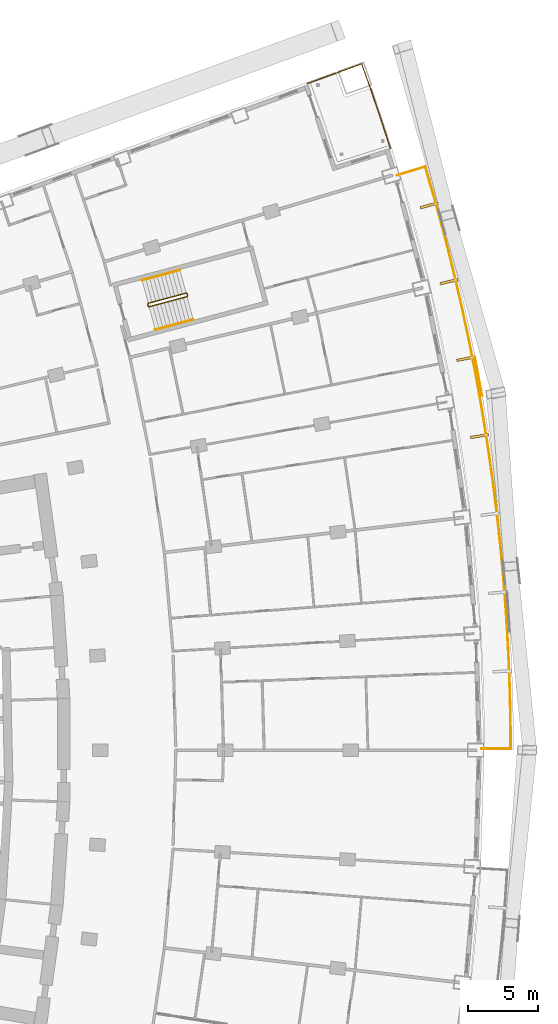
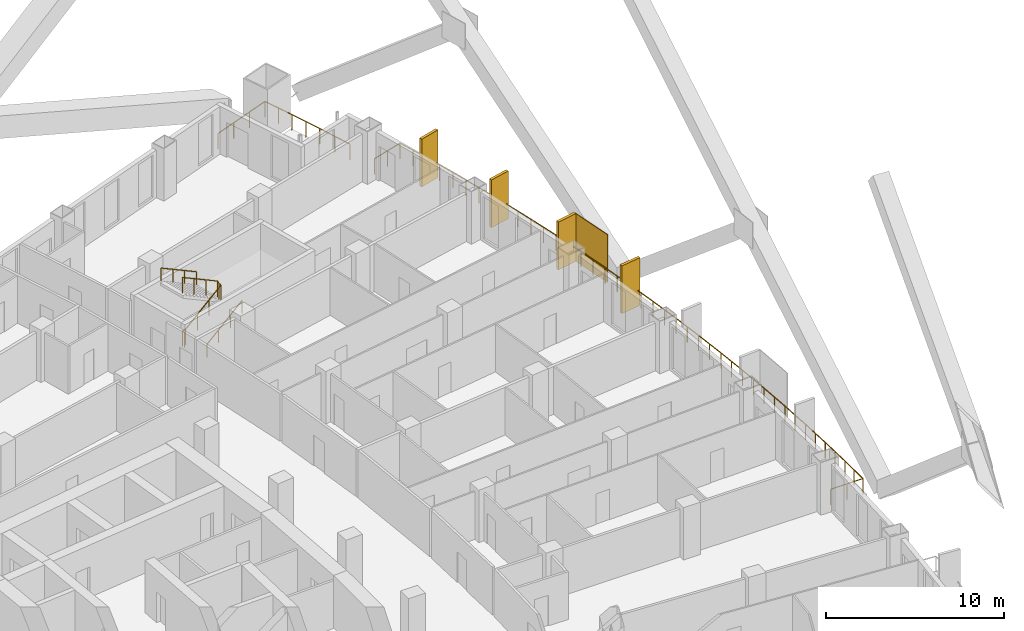
# One storey, part 23 of 23: 5 railings, 5 shading devices.
"""IFC4 building model written with IfcOpenShell, lengths in metres."""

from ifc_helpers import new_model, si_unit, direction, frame, origin, origin_2d, place, context, subcontext, project, spatial, rectangle, extrude, material, layer, layer_set, type_object, element, save


model = new_model("IFC4")

# Units and contexts
model_context = context("Model", 3, precision=1e-05, world=origin(), true_north=direction((0.0, 1.0)))
body_context = subcontext(model_context, "Body", "Model", "MODEL_VIEW")
ifc_project = project(units=[si_unit("LENGTHUNIT", "METRE"), si_unit("AREAUNIT", "SQUARE_METRE"), si_unit("VOLUMEUNIT", "CUBIC_METRE"), si_unit("PLANEANGLEUNIT", "RADIAN"), si_unit("MASSUNIT", "GRAM", prefix="KILO")], contexts=[model_context])

# Site, building, storey
site_placement = place(None, origin())
site = spatial("IfcSite", under=ifc_project, at=site_placement, CompositionType="ELEMENT")
building_placement = place(site_placement, origin())
building = spatial("IfcBuilding", under=site, at=building_placement, Name="Alderwake Tower", CompositionType="ELEMENT")
storey_placement = place(building_placement, frame((0.0, 0.0, 53.60009765625)))
storey = spatial("IfcBuildingStorey", under=building, at=storey_placement, Name="L12", CompositionType="ELEMENT", Elevation=53.60009765625)

# Railings
ifc_material_1 = material(Name="Stainless steel 316 rail and posts", Category="steel")
railing_type_1 = type_object("IfcRailingType", Name="Balcony guard 1100", PredefinedType="GUARDRAIL", material=ifc_material_1)
railing_1_placement = place(storey_placement, frame((63.0, 61.0986328125, 0.0)))
element("IfcRailing", 1, at=railing_1_placement, inside=storey, type_object=railing_type_1, Name="Guard BF07", PredefinedType="GUARDRAIL", context=body_context, shape_type="SweptSolid", body=[
    extrude(rectangle(XDim=0.048095703125, YDim=0.048095703125, at=origin_2d()), frame((0.0, 0.0, 1.076171875), z_axis=(0.999999756738, 0.000697512037, 0.0), x_axis=(-0.000697512037, 0.999999756738, 0.0)), (0.0, 0.0, 1.0), 2.10009765625),
    extrude(rectangle(XDim=0.048095703125, YDim=0.048095703125, at=origin_2d()), frame((2.10009765625, 0.00146484375, 1.076171875), z_axis=(-0.007629667712, 0.999970893662, 0.0), x_axis=(-0.999970893662, -0.007629667712, 0.0)), (0.0, 0.0, 1.0), 2.015869140625),
    extrude(rectangle(XDim=0.048095703125, YDim=0.048095703125, at=origin_2d()), frame((2.084716796875, 2.017333984375, 1.076171875), z_axis=(-0.021922024221, 0.999759683551, 0.0), x_axis=(-0.999759683551, -0.021922024221, 0.0)), (0.0, 0.0, 1.0), 2.115966796875),
    extrude(rectangle(XDim=0.048095703125, YDim=0.048095703125, at=origin_2d()), frame((2.038330078125, 4.1328125, 1.076171875), z_axis=(-0.036456930403, 0.99933522515, 0.0), x_axis=(-0.99933522515, -0.036456930403, 0.0)), (0.0, 0.0, 1.0), 2.1162109375),
    extrude(rectangle(XDim=0.048095703125, YDim=0.048095703125, at=origin_2d()), frame((1.961181640625, 6.24755859375, 1.076171875), z_axis=(-0.050996405484, 0.998698836801, 0.0), x_axis=(-0.998698836801, -0.050996405484, 0.0)), (0.0, 0.0, 1.0), 2.115966796875),
    extrude(rectangle(XDim=0.048095703125, YDim=0.048095703125, at=origin_2d()), frame((1.853271484375, 8.36083984375, 1.076171875), z_axis=(-0.065653604081, 0.997842474678, 0.0), x_axis=(-0.997842474678, -0.065653604081, 0.0)), (0.0, 0.0, 1.0), 2.115966796875),
    extrude(rectangle(XDim=0.048095703125, YDim=0.048095703125, at=origin_2d()), frame((1.71435546875, 10.47216796875, 1.076171875), z_axis=(-0.080066197531, 0.996789548507, 0.0), x_axis=(-0.996789548507, -0.080066197531, 0.0)), (0.0, 0.0, 1.0), 2.1162109375),
    extrude(rectangle(XDim=0.048095703125, YDim=0.048095703125, at=origin_2d()), frame((1.544921875, 12.58154296875, 1.076171875), z_axis=(-0.094727418448, 0.995503247707, 0.0), x_axis=(-0.995503247707, -0.094727418448, 0.0)), (0.0, 0.0, 1.0), 2.115966796875),
    extrude(rectangle(XDim=0.048095703125, YDim=0.048095703125, at=origin_2d()), frame((1.344482421875, 14.68798828125, 1.076171875), z_axis=(-0.109152371234, 0.994025029792, 0.0), x_axis=(-0.994025029792, -0.109152371234, 0.0)), (0.0, 0.0, 1.0), 2.115966796875),
    extrude(rectangle(XDim=0.048095703125, YDim=0.048095703125, at=origin_2d()), frame((1.113525390625, 16.791259765625, 1.076171875), z_axis=(-0.123566122663, 0.992336340829, 0.0), x_axis=(-0.992336340829, -0.123566122663, 0.0)), (0.0, 0.0, 1.0), 2.115966796875),
    extrude(rectangle(XDim=0.048095703125, YDim=0.048095703125, at=origin_2d()), frame((0.85205078125, 18.89111328125, 1.076171875), z_axis=(-0.13810917546, 0.990417010988, 0.0), x_axis=(-0.990417010988, -0.13810917546, 0.0)), (0.0, 0.0, 1.0), 2.115966796875),
    extrude(rectangle(XDim=0.048095703125, YDim=0.048095703125, at=origin_2d()), frame((0.559814453125, 20.98681640625, 1.076171875), z_axis=(-0.152525334997, 0.988299560955, 0.0), x_axis=(-0.988299560955, -0.152525334997, 0.0)), (0.0, 0.0, 1.0), 2.115966796875),
    extrude(rectangle(XDim=0.048095703125, YDim=0.048095703125, at=origin_2d()), frame((0.237060546875, 23.078125, 1.076171875), z_axis=(-0.166942854132, 0.985966573193, 0.0), x_axis=(-0.985966573193, -0.166942854132, 0.0)), (0.0, 0.0, 1.0), 2.1162109375),
    extrude(rectangle(XDim=0.048095703125, YDim=0.048095703125, at=origin_2d()), frame((-0.1162109375, 25.16455078125, 1.076171875), z_axis=(-0.181271090416, 0.983433165893, 0.0), x_axis=(-0.983433165893, -0.181271090416, 0.0)), (0.0, 0.0, 1.0), 2.115966796875),
    extrude(rectangle(XDim=0.048095703125, YDim=0.048095703125, at=origin_2d()), frame((-0.499755859375, 27.245361328125, 1.076171875), z_axis=(-0.195672373282, 0.980669323643, 0.0), x_axis=(-0.980669323643, -0.195672373282, 0.0)), (0.0, 0.0, 1.0), 2.1162109375),
    extrude(rectangle(XDim=0.048095703125, YDim=0.048095703125, at=origin_2d()), frame((-0.913818359375, 29.320556640625, 1.076171875), z_axis=(-0.209875777658, 0.977728059305, 0.0), x_axis=(-0.977728059305, -0.209875777658, 0.0)), (0.0, 0.0, 1.0), 2.115966796875),
    extrude(rectangle(XDim=0.048095703125, YDim=0.048095703125, at=origin_2d()), frame((-1.35791015625, 31.389404296875, 1.076171875), z_axis=(-0.224058933292, 0.974575597074, 0.0), x_axis=(-0.974575597074, -0.224058933292, 0.0)), (0.0, 0.0, 1.0), 2.115966796875),
    extrude(rectangle(XDim=0.048095703125, YDim=0.048095703125, at=origin_2d()), frame((-1.83203125, 33.45166015625, 1.076171875), z_axis=(-0.238270812315, 0.971198754117, 0.0), x_axis=(-0.971198754117, -0.238270812315, 0.0)), (0.0, 0.0, 1.0), 2.115966796875),
    extrude(rectangle(XDim=0.048095703125, YDim=0.048095703125, at=origin_2d()), frame((-2.336181640625, 35.506591796875, 1.076171875), z_axis=(-0.25253930462, 0.967586636752, 0.0), x_axis=(-0.967586636752, -0.25253930462, 0.0)), (0.0, 0.0, 1.0), 2.1162109375),
    extrude(rectangle(XDim=0.048095703125, YDim=0.048095703125, at=origin_2d()), frame((-2.87060546875, 37.55419921875, 1.076171875), z_axis=(-0.266513084078, 0.9638313006, 0.0), x_axis=(-0.9638313006, -0.266513084078, 0.0)), (0.0, 0.0, 1.0), 2.115966796875),
    extrude(rectangle(XDim=0.048095703125, YDim=0.048095703125, at=origin_2d()), frame((-3.4345703125, 39.59375, 1.076171875), z_axis=(-0.28021854868, 0.95993622964, 0.0), x_axis=(-0.95993622964, -0.28021854868, 0.0)), (0.0, 0.0, 1.0), 2.01611328125),
    extrude(rectangle(XDim=0.048095703125, YDim=0.048095703125, at=origin_2d()), frame((-3.99951171875, 41.529052734375, 1.076171875), z_axis=(-0.957954179098, -0.286921227429, 0.0), x_axis=(0.286921227429, -0.957954179098, 0.0)), (0.0, 0.0, 1.0), 2.10009765625),
    extrude(rectangle(XDim=0.0419921875, YDim=0.0419921875, at=origin_2d()), frame((0.0, 0.0, 0.0), z_axis=(0.0, 0.0, 1.0), x_axis=(0.999999756738, 0.000697512037, 0.0)), (0.0, 0.0, 1.0), 1.052001953125),
    extrude(rectangle(XDim=0.0419921875, YDim=0.0419921875, at=origin_2d()), frame((1.050048828125, 0.000732421875, 0.0), z_axis=(0.0, 0.0, 1.0), x_axis=(0.999999756738, 0.000697512037, 0.0)), (0.0, 0.0, 1.0), 1.052001953125),
    extrude(rectangle(XDim=0.0419921875, YDim=0.0419921875, at=origin_2d()), frame((2.10009765625, 0.00146484375, 0.0), z_axis=(0.0, 0.0, 1.0), x_axis=(-0.007629667712, 0.999970893662, 0.0)), (0.0, 0.0, 1.0), 1.052001953125),
    extrude(rectangle(XDim=0.0419921875, YDim=0.0419921875, at=origin_2d()), frame((2.09228515625, 1.00927734375, 0.0), z_axis=(0.0, 0.0, 1.0), x_axis=(-0.007629667712, 0.999970893662, 0.0)), (0.0, 0.0, 1.0), 1.052001953125),
    extrude(rectangle(XDim=0.0419921875, YDim=0.0419921875, at=origin_2d()), frame((2.084716796875, 2.017333984375, 0.0), z_axis=(0.0, 0.0, 1.0), x_axis=(-0.021922024221, 0.999759683551, 0.0)), (0.0, 0.0, 1.0), 1.052001953125),
    extrude(rectangle(XDim=0.0419921875, YDim=0.0419921875, at=origin_2d()), frame((2.0615234375, 3.0751953125, 0.0), z_axis=(0.0, 0.0, 1.0), x_axis=(-0.021922024221, 0.999759683551, 0.0)), (0.0, 0.0, 1.0), 1.052001953125),
    extrude(rectangle(XDim=0.0419921875, YDim=0.0419921875, at=origin_2d()), frame((2.038330078125, 4.1328125, 0.0), z_axis=(0.0, 0.0, 1.0), x_axis=(-0.036456930403, 0.99933522515, 0.0)), (0.0, 0.0, 1.0), 1.052001953125),
    extrude(rectangle(XDim=0.0419921875, YDim=0.0419921875, at=origin_2d()), frame((1.999755859375, 5.190185546875, 0.0), z_axis=(0.0, 0.0, 1.0), x_axis=(-0.036456930403, 0.99933522515, 0.0)), (0.0, 0.0, 1.0), 1.052001953125),
    extrude(rectangle(XDim=0.0419921875, YDim=0.0419921875, at=origin_2d()), frame((1.961181640625, 6.24755859375, 0.0), z_axis=(0.0, 0.0, 1.0), x_axis=(-0.050996405484, 0.998698836801, 0.0)), (0.0, 0.0, 1.0), 1.052001953125),
    extrude(rectangle(XDim=0.0419921875, YDim=0.0419921875, at=origin_2d()), frame((1.9072265625, 7.30419921875, 0.0), z_axis=(0.0, 0.0, 1.0), x_axis=(-0.050996405484, 0.998698836801, 0.0)), (0.0, 0.0, 1.0), 1.052001953125),
    extrude(rectangle(XDim=0.0419921875, YDim=0.0419921875, at=origin_2d()), frame((1.853271484375, 8.36083984375, 0.0), z_axis=(0.0, 0.0, 1.0), x_axis=(-0.065653604081, 0.997842474678, 0.0)), (0.0, 0.0, 1.0), 1.052001953125),
    extrude(rectangle(XDim=0.0419921875, YDim=0.0419921875, at=origin_2d()), frame((1.78369140625, 9.41650390625, 0.0), z_axis=(0.0, 0.0, 1.0), x_axis=(-0.065653604081, 0.997842474678, 0.0)), (0.0, 0.0, 1.0), 1.052001953125),
    extrude(rectangle(XDim=0.0419921875, YDim=0.0419921875, at=origin_2d()), frame((1.71435546875, 10.47216796875, 0.0), z_axis=(0.0, 0.0, 1.0), x_axis=(-0.080066197531, 0.996789548507, 0.0)), (0.0, 0.0, 1.0), 1.052001953125),
    extrude(rectangle(XDim=0.0419921875, YDim=0.0419921875, at=origin_2d()), frame((1.629638671875, 11.52685546875, 0.0), z_axis=(0.0, 0.0, 1.0), x_axis=(-0.080066197531, 0.996789548507, 0.0)), (0.0, 0.0, 1.0), 1.052001953125),
    extrude(rectangle(XDim=0.0419921875, YDim=0.0419921875, at=origin_2d()), frame((1.544921875, 12.58154296875, 0.0), z_axis=(0.0, 0.0, 1.0), x_axis=(-0.094727418448, 0.995503247707, 0.0)), (0.0, 0.0, 1.0), 1.052001953125),
    extrude(rectangle(XDim=0.0419921875, YDim=0.0419921875, at=origin_2d()), frame((1.44482421875, 13.634765625, 0.0), z_axis=(0.0, 0.0, 1.0), x_axis=(-0.094727418448, 0.995503247707, 0.0)), (0.0, 0.0, 1.0), 1.052001953125),
    extrude(rectangle(XDim=0.0419921875, YDim=0.0419921875, at=origin_2d()), frame((1.344482421875, 14.68798828125, 0.0), z_axis=(0.0, 0.0, 1.0), x_axis=(-0.109152371234, 0.994025029792, 0.0)), (0.0, 0.0, 1.0), 1.052001953125),
    extrude(rectangle(XDim=0.0419921875, YDim=0.0419921875, at=origin_2d()), frame((1.22900390625, 15.73974609375, 0.0), z_axis=(0.0, 0.0, 1.0), x_axis=(-0.109152371234, 0.994025029792, 0.0)), (0.0, 0.0, 1.0), 1.052001953125),
    extrude(rectangle(XDim=0.0419921875, YDim=0.0419921875, at=origin_2d()), frame((1.113525390625, 16.791259765625, 0.0), z_axis=(0.0, 0.0, 1.0), x_axis=(-0.123566122663, 0.992336340829, 0.0)), (0.0, 0.0, 1.0), 1.052001953125),
    extrude(rectangle(XDim=0.0419921875, YDim=0.0419921875, at=origin_2d()), frame((0.98291015625, 17.84130859375, 0.0), z_axis=(0.0, 0.0, 1.0), x_axis=(-0.123566122663, 0.992336340829, 0.0)), (0.0, 0.0, 1.0), 1.052001953125),
    extrude(rectangle(XDim=0.0419921875, YDim=0.0419921875, at=origin_2d()), frame((0.85205078125, 18.89111328125, 0.0), z_axis=(0.0, 0.0, 1.0), x_axis=(-0.13810917546, 0.990417010988, 0.0)), (0.0, 0.0, 1.0), 1.052001953125),
    extrude(rectangle(XDim=0.0419921875, YDim=0.0419921875, at=origin_2d()), frame((0.7060546875, 19.93896484375, 0.0), z_axis=(0.0, 0.0, 1.0), x_axis=(-0.13810917546, 0.990417010988, 0.0)), (0.0, 0.0, 1.0), 1.052001953125),
    extrude(rectangle(XDim=0.0419921875, YDim=0.0419921875, at=origin_2d()), frame((0.559814453125, 20.98681640625, 0.0), z_axis=(0.0, 0.0, 1.0), x_axis=(-0.152525334997, 0.988299560955, 0.0)), (0.0, 0.0, 1.0), 1.052001953125),
    extrude(rectangle(XDim=0.0419921875, YDim=0.0419921875, at=origin_2d()), frame((0.3984375, 22.032470703125, 0.0), z_axis=(0.0, 0.0, 1.0), x_axis=(-0.152525334997, 0.988299560955, 0.0)), (0.0, 0.0, 1.0), 1.052001953125),
    extrude(rectangle(XDim=0.0419921875, YDim=0.0419921875, at=origin_2d()), frame((0.237060546875, 23.078125, 0.0), z_axis=(0.0, 0.0, 1.0), x_axis=(-0.166942854132, 0.985966573193, 0.0)), (0.0, 0.0, 1.0), 1.052001953125),
    extrude(rectangle(XDim=0.0419921875, YDim=0.0419921875, at=origin_2d()), frame((0.060546875, 24.121337890625, 0.0), z_axis=(0.0, 0.0, 1.0), x_axis=(-0.166942854132, 0.985966573193, 0.0)), (0.0, 0.0, 1.0), 1.052001953125),
    extrude(rectangle(XDim=0.0419921875, YDim=0.0419921875, at=origin_2d()), frame((-0.1162109375, 25.16455078125, 0.0), z_axis=(0.0, 0.0, 1.0), x_axis=(-0.181271090416, 0.983433165893, 0.0)), (0.0, 0.0, 1.0), 1.052001953125),
    extrude(rectangle(XDim=0.0419921875, YDim=0.0419921875, at=origin_2d()), frame((-0.30810546875, 26.205078125, 0.0), z_axis=(0.0, 0.0, 1.0), x_axis=(-0.181271090416, 0.983433165893, 0.0)), (0.0, 0.0, 1.0), 1.052001953125),
    extrude(rectangle(XDim=0.0419921875, YDim=0.0419921875, at=origin_2d()), frame((-0.499755859375, 27.245361328125, 0.0), z_axis=(0.0, 0.0, 1.0), x_axis=(-0.195672373282, 0.980669323643, 0.0)), (0.0, 0.0, 1.0), 1.052001953125),
    extrude(rectangle(XDim=0.0419921875, YDim=0.0419921875, at=origin_2d()), frame((-0.706787109375, 28.282958984375, 0.0), z_axis=(0.0, 0.0, 1.0), x_axis=(-0.195672373282, 0.980669323643, 0.0)), (0.0, 0.0, 1.0), 1.052001953125),
    extrude(rectangle(XDim=0.0419921875, YDim=0.0419921875, at=origin_2d()), frame((-0.913818359375, 29.320556640625, 0.0), z_axis=(0.0, 0.0, 1.0), x_axis=(-0.209875777658, 0.977728059305, 0.0)), (0.0, 0.0, 1.0), 1.052001953125),
    extrude(rectangle(XDim=0.0419921875, YDim=0.0419921875, at=origin_2d()), frame((-1.1357421875, 30.35498046875, 0.0), z_axis=(0.0, 0.0, 1.0), x_axis=(-0.209875777658, 0.977728059305, 0.0)), (0.0, 0.0, 1.0), 1.052001953125),
    extrude(rectangle(XDim=0.0419921875, YDim=0.0419921875, at=origin_2d()), frame((-1.35791015625, 31.389404296875, 0.0), z_axis=(0.0, 0.0, 1.0), x_axis=(-0.224058933292, 0.974575597074, 0.0)), (0.0, 0.0, 1.0), 1.052001953125),
    extrude(rectangle(XDim=0.0419921875, YDim=0.0419921875, at=origin_2d()), frame((-1.594970703125, 32.42041015625, 0.0), z_axis=(0.0, 0.0, 1.0), x_axis=(-0.224058933292, 0.974575597074, 0.0)), (0.0, 0.0, 1.0), 1.052001953125),
    extrude(rectangle(XDim=0.0419921875, YDim=0.0419921875, at=origin_2d()), frame((-1.83203125, 33.45166015625, 0.0), z_axis=(0.0, 0.0, 1.0), x_axis=(-0.238270812315, 0.971198754117, 0.0)), (0.0, 0.0, 1.0), 1.052001953125),
    extrude(rectangle(XDim=0.0419921875, YDim=0.0419921875, at=origin_2d()), frame((-2.083984375, 34.47900390625, 0.0), z_axis=(0.0, 0.0, 1.0), x_axis=(-0.238270812315, 0.971198754117, 0.0)), (0.0, 0.0, 1.0), 1.052001953125),
    extrude(rectangle(XDim=0.0419921875, YDim=0.0419921875, at=origin_2d()), frame((-2.336181640625, 35.506591796875, 0.0), z_axis=(0.0, 0.0, 1.0), x_axis=(-0.25253930462, 0.967586636752, 0.0)), (0.0, 0.0, 1.0), 1.052001953125),
    extrude(rectangle(XDim=0.0419921875, YDim=0.0419921875, at=origin_2d()), frame((-2.603515625, 36.5302734375, 0.0), z_axis=(0.0, 0.0, 1.0), x_axis=(-0.25253930462, 0.967586636752, 0.0)), (0.0, 0.0, 1.0), 1.052001953125),
    extrude(rectangle(XDim=0.0419921875, YDim=0.0419921875, at=origin_2d()), frame((-2.87060546875, 37.55419921875, 0.0), z_axis=(0.0, 0.0, 1.0), x_axis=(-0.266513084078, 0.9638313006, 0.0)), (0.0, 0.0, 1.0), 1.052001953125),
    extrude(rectangle(XDim=0.0419921875, YDim=0.0419921875, at=origin_2d()), frame((-3.152587890625, 38.573974609375, 0.0), z_axis=(0.0, 0.0, 1.0), x_axis=(-0.266513084078, 0.9638313006, 0.0)), (0.0, 0.0, 1.0), 1.052001953125),
    extrude(rectangle(XDim=0.0419921875, YDim=0.0419921875, at=origin_2d()), frame((-3.4345703125, 39.59375, 0.0), z_axis=(0.0, 0.0, 1.0), x_axis=(-0.28021854868, 0.95993622964, 0.0)), (0.0, 0.0, 1.0), 1.052001953125),
    extrude(rectangle(XDim=0.0419921875, YDim=0.0419921875, at=origin_2d()), frame((-3.717041015625, 40.5615234375, 0.0), z_axis=(0.0, 0.0, 1.0), x_axis=(-0.28021854868, 0.95993622964, 0.0)), (0.0, 0.0, 1.0), 1.052001953125),
    extrude(rectangle(XDim=0.0419921875, YDim=0.0419921875, at=origin_2d()), frame((-3.99951171875, 41.529052734375, 0.0), z_axis=(0.0, 0.0, 1.0), x_axis=(-0.957954179098, -0.286921227429, 0.0)), (0.0, 0.0, 1.0), 1.052001953125),
    extrude(rectangle(XDim=0.0419921875, YDim=0.0419921875, at=origin_2d()), frame((-5.00537109375, 41.227783203125, 0.0), z_axis=(0.0, 0.0, 1.0), x_axis=(-0.957954179098, -0.286921227429, 0.0)), (0.0, 0.0, 1.0), 1.052001953125),
    extrude(rectangle(XDim=0.0419921875, YDim=0.0419921875, at=origin_2d()), frame((-6.01123046875, 40.926513671875, 0.0), z_axis=(0.0, 0.0, 1.0), x_axis=(-0.957954179098, -0.286921227429, 0.0)), (0.0, 0.0, 1.0), 1.052001953125),
])
railing_2_placement = place(storey_placement, frame((56.501708984375, 103.951904296875, 0.0)))
element("IfcRailing", 2, at=railing_2_placement, inside=storey, type_object=railing_type_1, Name="Guard terrace FN", PredefinedType="GUARDRAIL", context=body_context, shape_type="SweptSolid", body=[
    extrude(rectangle(XDim=0.048095703125, YDim=0.048095703125, at=origin_2d()), frame((0.0, 0.0, 1.076171875), z_axis=(-0.307695208636, 0.95148497549, 0.0), x_axis=(-0.95148497549, -0.307695208636, 0.0)), (0.0, 0.0, 1.0), 2.28662109375),
    extrude(rectangle(XDim=0.048095703125, YDim=0.048095703125, at=origin_2d()), frame((-0.70361328125, 2.17578125, 1.076171875), z_axis=(-0.322292794667, 0.946640034282, 0.0), x_axis=(-0.946640034282, -0.322292794667, 0.0)), (0.0, 0.0, 1.0), 2.0869140625),
    extrude(rectangle(XDim=0.048095703125, YDim=0.048095703125, at=origin_2d()), frame((-1.376220703125, 4.1513671875, 1.076171875), z_axis=(-0.335736890056, 0.941955806105, 0.0), x_axis=(-0.941955806105, -0.335736890056, 0.0)), (0.0, 0.0, 1.0), 1.986572265625),
    extrude(rectangle(XDim=0.048095703125, YDim=0.048095703125, at=origin_2d()), frame((-2.043212890625, 6.022705078125, 1.076171875), z_axis=(-0.939617696184, -0.342225926863, 0.0), x_axis=(0.342225926863, -0.939617696184, 0.0)), (0.0, 0.0, 1.0), 4.099853515625),
    extrude(rectangle(XDim=0.0419921875, YDim=0.0419921875, at=origin_2d()), frame((0.0, 0.0, 0.0), z_axis=(0.0, 0.0, 1.0), x_axis=(-0.307695208636, 0.95148497549, 0.0)), (0.0, 0.0, 1.0), 1.052001953125),
    extrude(rectangle(XDim=0.0419921875, YDim=0.0419921875, at=origin_2d()), frame((-0.351806640625, 1.087890625, 0.0), z_axis=(0.0, 0.0, 1.0), x_axis=(-0.307695208636, 0.95148497549, 0.0)), (0.0, 0.0, 1.0), 1.052001953125),
    extrude(rectangle(XDim=0.0419921875, YDim=0.0419921875, at=origin_2d()), frame((-0.70361328125, 2.17578125, 0.0), z_axis=(0.0, 0.0, 1.0), x_axis=(-0.322292794667, 0.946640034282, 0.0)), (0.0, 0.0, 1.0), 1.052001953125),
    extrude(rectangle(XDim=0.0419921875, YDim=0.0419921875, at=origin_2d()), frame((-1.0400390625, 3.16357421875, 0.0), z_axis=(0.0, 0.0, 1.0), x_axis=(-0.322292794667, 0.946640034282, 0.0)), (0.0, 0.0, 1.0), 1.052001953125),
    extrude(rectangle(XDim=0.0419921875, YDim=0.0419921875, at=origin_2d()), frame((-1.376220703125, 4.1513671875, 0.0), z_axis=(0.0, 0.0, 1.0), x_axis=(-0.335736890056, 0.941955806105, 0.0)), (0.0, 0.0, 1.0), 1.052001953125),
    extrude(rectangle(XDim=0.0419921875, YDim=0.0419921875, at=origin_2d()), frame((-1.709716796875, 5.0869140625, 0.0), z_axis=(0.0, 0.0, 1.0), x_axis=(-0.335736890056, 0.941955806105, 0.0)), (0.0, 0.0, 1.0), 1.052001953125),
    extrude(rectangle(XDim=0.0419921875, YDim=0.0419921875, at=origin_2d()), frame((-2.043212890625, 6.022705078125, 0.0), z_axis=(0.0, 0.0, 1.0), x_axis=(-0.939617696184, -0.342225926863, 0.0)), (0.0, 0.0, 1.0), 1.052001953125),
    extrude(rectangle(XDim=0.0419921875, YDim=0.0419921875, at=origin_2d()), frame((-3.327392578125, 5.554931640625, 0.0), z_axis=(0.0, 0.0, 1.0), x_axis=(-0.939617696184, -0.342225926863, 0.0)), (0.0, 0.0, 1.0), 1.052001953125),
    extrude(rectangle(XDim=0.0419921875, YDim=0.0419921875, at=origin_2d()), frame((-4.611328125, 5.08740234375, 0.0), z_axis=(0.0, 0.0, 1.0), x_axis=(-0.939617696184, -0.342225926863, 0.0)), (0.0, 0.0, 1.0), 1.052001953125),
    extrude(rectangle(XDim=0.0419921875, YDim=0.0419921875, at=origin_2d()), frame((-5.8955078125, 4.61962890625, 0.0), z_axis=(0.0, 0.0, 1.0), x_axis=(-0.939617696184, -0.342225926863, 0.0)), (0.0, 0.0, 1.0), 1.052001953125),
])

# Shading devices
ifc_material_2 = material(Name="Bronze anodised aluminium", Category="aluminium")
ifc_layer_1 = layer(ifc_material_2, 0.179931640625)
ifc_layer_set_1 = layer_set([ifc_layer_1], Name="Facade fin 1300")
shading_device_type_1 = type_object("IfcShadingDeviceType", Name="Facade fin 1300", PredefinedType="USERDEFINED", material=ifc_layer_set_1)
for number, where, z_axis, x_axis, name in (
    (3, (62.85302734375, 83.4091796875, 0.0), (0.0, 0.0, 1.0), (0.987918787879, 0.154972476771, 0.0), "Fin"),
    (4, (61.876220703125, 88.93359375, 0.0), (0.0, 0.0, 1.0), (0.981163751315, 0.193177879441, 0.0), "Fin"),
    (5, (60.6826171875, 94.429931640625, 0.0), (0.0, 0.0, 1.0), (0.972908790564, 0.231189284448, 0.0), "Fin"),
    (6, (59.276123046875, 99.8759765625, 0.0), (0.0, 0.0, 1.0), (0.96318180783, 0.268850897459, 0.0), "Fin"),
):
    element("IfcShadingDevice", number, at=place(storey_placement, frame(where, z_axis=z_axis, x_axis=x_axis)), inside=storey, type_object=shading_device_type_1, Name=name, ObjectType="FIN", PredefinedType="USERDEFINED", context=body_context, shape_type="SweptSolid", body=[
        extrude(rectangle(XDim=1.300048828125, YDim=0.179931640625, at=origin_2d()), origin(), (0.0, 0.0, 1.0), 3.280029296875),
    ])
ifc_material_3 = material(Name="Perforated bronze anodised aluminium", Category="aluminium")
ifc_layer_2 = layer(ifc_material_3, 0.050048828125)
ifc_layer_set_2 = layer_set([ifc_layer_2], Name="Perforated screen panel")
shading_device_type_2 = type_object("IfcShadingDeviceType", Name="Perforated screen panel", PredefinedType="USERDEFINED", material=ifc_layer_set_2)
shading_device_placement = place(storey_placement, frame((62.79736328125, 87.6787109375, 0.0), z_axis=(0.0, 0.0, 1.0), x_axis=(0.982991488043, 0.183651121519, 0.0)))
element("IfcShadingDevice", 7, at=shading_device_placement, inside=storey, type_object=shading_device_type_2, Name="Screen panel", ObjectType="SCREEN", PredefinedType="USERDEFINED", context=body_context, shape_type="SweptSolid", body=[
    extrude(rectangle(XDim=0.050048828125, YDim=2.818359375, at=origin_2d()), origin(), (0.0, 0.0, 1.0), 3.280029296875),
])

# Railings
ifc_material_4 = material(Name="Stainless steel guard", Category="steel")
railing_type_2 = type_object("IfcRailingType", Name="Stair guard 1100", PredefinedType="GUARDRAIL", material=ifc_material_4)
railing_3_placement = place(storey_placement, frame((39.23291015625, 92.6806640625, 0.0)))
element("IfcRailing", 8, at=railing_3_placement, inside=storey, type_object=railing_type_2, Name="L12 ST-A stair guard 1", PredefinedType="GUARDRAIL", context=body_context, shape_type="SweptSolid", body=[
    extrude(rectangle(XDim=0.048095703125, YDim=0.048095703125, at=origin_2d()), frame((0.0, 0.0, 1.076171875), z_axis=(-0.257055032184, 0.966396766566, 0.0), x_axis=(-0.966396766566, -0.257055032184, 0.0)), (0.0, 0.0, 1.0), 0.150146484375),
    extrude(rectangle(XDim=0.048095703125, YDim=0.048095703125, at=origin_2d()), frame((-0.03857421875, 0.14501953125, 1.076171875), z_axis=(0.379370725808, -0.685464465458, 0.621463047167), x_axis=(0.874937996095, 0.484234966715, 0.0)), (0.0, 0.0, 1.0), 0.26318359375),
    extrude(rectangle(XDim=0.048095703125, YDim=0.048095703125, at=origin_2d()), frame((0.061279296875, -0.035400390625, 1.23974609375), z_axis=(0.834290631165, 0.222236594766, 0.504549342183), x_axis=(-0.257402139082, 0.966304371715, 0.0)), (0.0, 0.0, 1.0), 3.242919921875),
    extrude(rectangle(XDim=0.048095703125, YDim=0.048095703125, at=origin_2d()), frame((2.766845703125, 0.685302734375, 2.8759765625), z_axis=(0.500220121494, 0.865898279276, 0.0), x_axis=(-0.865898279276, 0.500220121494, 0.0)), (0.0, 0.0, 1.0), 0.07080078125),
    extrude(rectangle(XDim=0.048095703125, YDim=0.048095703125, at=origin_2d()), frame((2.80224609375, 0.74658203125, 2.8759765625), z_axis=(-0.257459803502, 0.966289009345, 0.0), x_axis=(-0.966289009345, -0.257459803502, 0.0)), (0.0, 0.0, 1.0), 0.14990234375),
    extrude(rectangle(XDim=0.048095703125, YDim=0.048095703125, at=origin_2d()), frame((2.763671875, 0.891357421875, 2.8759765625), z_axis=(-0.34209458732, 0.199783238995, 0.918181872367), x_axis=(-0.504300490226, -0.863528236688, 0.0)), (0.0, 0.0, 1.0), 0.178466796875),
    extrude(rectangle(XDim=0.048095703125, YDim=0.048095703125, at=origin_2d()), frame((2.70263671875, 0.927001953125, 3.03955078125), z_axis=(-0.834313512087, -0.222222637163, 0.504517653885), x_axis=(0.257380452725, -0.966310148221, 0.0)), (0.0, 0.0, 1.0), 3.2431640625),
    extrude(rectangle(XDim=0.0419921875, YDim=0.0419921875, at=origin_2d()), frame((0.0, 0.0, 0.0), z_axis=(0.0, 0.0, 1.0), x_axis=(-0.257055032184, 0.966396766566, 0.0)), (0.0, 0.0, 1.0), 1.052001953125),
    extrude(rectangle(XDim=0.0419921875, YDim=0.0419921875, at=origin_2d()), frame((-0.03857421875, 0.14501953125, 0.0), z_axis=(0.0, 0.0, 1.0), x_axis=(0.484234966715, -0.874937996095, 0.0)), (0.0, 0.0, 1.0), 1.052001953125),
    extrude(rectangle(XDim=0.0419921875, YDim=0.0419921875, at=origin_2d()), frame((0.061279296875, -0.035400390625, 0.16357421875), z_axis=(0.0, 0.0, 1.0), x_axis=(0.966304371715, 0.257402139082, 0.0)), (0.0, 0.0, 1.0), 1.052001953125),
    extrude(rectangle(XDim=0.0419921875, YDim=0.0419921875, at=origin_2d()), frame((0.963134765625, 0.204833984375, 0.708984375), z_axis=(0.0, 0.0, 1.0), x_axis=(0.966304371715, 0.257402139082, 0.0)), (0.0, 0.0, 1.0), 1.052001953125),
    extrude(rectangle(XDim=0.0419921875, YDim=0.0419921875, at=origin_2d()), frame((1.864990234375, 0.445068359375, 1.25439453125), z_axis=(0.0, 0.0, 1.0), x_axis=(0.966304371715, 0.257402139082, 0.0)), (0.0, 0.0, 1.0), 1.052001953125),
    extrude(rectangle(XDim=0.0419921875, YDim=0.0419921875, at=origin_2d()), frame((2.766845703125, 0.685302734375, 1.7998046875), z_axis=(0.0, 0.0, 1.0), x_axis=(0.500220121494, 0.865898279276, 0.0)), (0.0, 0.0, 1.0), 1.052001953125),
    extrude(rectangle(XDim=0.0419921875, YDim=0.0419921875, at=origin_2d()), frame((2.80224609375, 0.74658203125, 1.7998046875), z_axis=(0.0, 0.0, 1.0), x_axis=(-0.257459803502, 0.966289009345, 0.0)), (0.0, 0.0, 1.0), 1.052001953125),
    extrude(rectangle(XDim=0.0419921875, YDim=0.0419921875, at=origin_2d()), frame((2.763671875, 0.891357421875, 1.7998046875), z_axis=(0.0, 0.0, 1.0), x_axis=(-0.863528236688, 0.504300490226, 0.0)), (0.0, 0.0, 1.0), 1.052001953125),
    extrude(rectangle(XDim=0.0419921875, YDim=0.0419921875, at=origin_2d()), frame((2.70263671875, 0.927001953125, 1.963623046875), z_axis=(0.0, 0.0, 1.0), x_axis=(-0.966310148221, -0.257380452725, 0.0)), (0.0, 0.0, 1.0), 1.052001953125),
    extrude(rectangle(XDim=0.0419921875, YDim=0.0419921875, at=origin_2d()), frame((1.80078125, 0.686767578125, 2.509033203125), z_axis=(0.0, 0.0, 1.0), x_axis=(-0.966310148221, -0.257380452725, 0.0)), (0.0, 0.0, 1.0), 1.052001953125),
    extrude(rectangle(XDim=0.0419921875, YDim=0.0419921875, at=origin_2d()), frame((0.898681640625, 0.446533203125, 3.054443359375), z_axis=(0.0, 0.0, 1.0), x_axis=(-0.966310148221, -0.257380452725, 0.0)), (0.0, 0.0, 1.0), 1.052001953125),
    extrude(rectangle(XDim=0.0419921875, YDim=0.0419921875, at=origin_2d()), frame((-0.003173828125, 0.206298828125, 3.599853515625), z_axis=(0.0, 0.0, 1.0), x_axis=(-0.966310148221, -0.257380452725, 0.0)), (0.0, 0.0, 1.0), 1.052001953125),
])
ifc_material_5 = material(Name="Stainless steel handrail", Category="steel")
railing_type_3 = type_object("IfcRailingType", Name="Stair handrail 900", PredefinedType="HANDRAIL", material=ifc_material_5)
railing_4_placement = place(storey_placement, frame((39.731689453125, 91.002685546875, 0.16357421875)))
element("IfcRailing", 9, at=railing_4_placement, inside=storey, type_object=railing_type_3, Name="L12 ST-A stair handrail 1", PredefinedType="HANDRAIL", context=body_context, shape_type="SweptSolid", body=[
    extrude(rectangle(XDim=0.048095703125, YDim=0.048095703125, at=origin_2d()), frame((0.0, 0.0, 0.8759765625), z_axis=(0.834290631165, 0.222236594766, 0.504549342183), x_axis=(-0.257402139082, 0.966304371715, 0.0)), (0.0, 0.0, 1.0), 3.242919921875),
    extrude(rectangle(XDim=0.0419921875, YDim=0.0419921875, at=origin_2d()), frame((0.0, 0.0, 0.0), z_axis=(0.0, 0.0, 1.0), x_axis=(0.966304371715, 0.257402139082, 0.0)), (0.0, 0.0, 1.0), 0.851806640625),
    extrude(rectangle(XDim=0.0419921875, YDim=0.0419921875, at=origin_2d()), frame((0.90185546875, 0.240234375, 0.54541015625), z_axis=(0.0, 0.0, 1.0), x_axis=(0.966304371715, 0.257402139082, 0.0)), (0.0, 0.0, 1.0), 0.851806640625),
    extrude(rectangle(XDim=0.0419921875, YDim=0.0419921875, at=origin_2d()), frame((1.8037109375, 0.48046875, 1.0908203125), z_axis=(0.0, 0.0, 1.0), x_axis=(0.966304371715, 0.257402139082, 0.0)), (0.0, 0.0, 1.0), 0.851806640625),
    extrude(rectangle(XDim=0.0419921875, YDim=0.0419921875, at=origin_2d()), frame((2.70556640625, 0.720703125, 1.63623046875), z_axis=(0.0, 0.0, 1.0), x_axis=(0.966304371715, 0.257402139082, 0.0)), (0.0, 0.0, 1.0), 0.851806640625),
])
railing_5_placement = place(storey_placement, frame((41.497802734375, 95.250244140625, 1.963623046875)))
element("IfcRailing", 10, at=railing_5_placement, inside=storey, type_object=railing_type_3, Name="L12 ST-A stair handrail 2", PredefinedType="HANDRAIL", context=body_context, shape_type="SweptSolid", body=[
    extrude(rectangle(XDim=0.048095703125, YDim=0.048095703125, at=origin_2d()), frame((0.0, 0.0, 0.8759765625), z_axis=(-0.834290631165, -0.222236594766, 0.504549342183), x_axis=(0.257402139082, -0.966304371715, 0.0)), (0.0, 0.0, 1.0), 3.242919921875),
    extrude(rectangle(XDim=0.0419921875, YDim=0.0419921875, at=origin_2d()), frame((0.0, 0.0, 0.0), z_axis=(0.0, 0.0, 1.0), x_axis=(-0.966304371715, -0.257402139082, 0.0)), (0.0, 0.0, 1.0), 0.851806640625),
    extrude(rectangle(XDim=0.0419921875, YDim=0.0419921875, at=origin_2d()), frame((-0.90185546875, -0.240234375, 0.54541015625), z_axis=(0.0, 0.0, 1.0), x_axis=(-0.966304371715, -0.257402139082, 0.0)), (0.0, 0.0, 1.0), 0.851806640625),
    extrude(rectangle(XDim=0.0419921875, YDim=0.0419921875, at=origin_2d()), frame((-1.8037109375, -0.48046875, 1.0908203125), z_axis=(0.0, 0.0, 1.0), x_axis=(-0.966304371715, -0.257402139082, 0.0)), (0.0, 0.0, 1.0), 0.851806640625),
    extrude(rectangle(XDim=0.0419921875, YDim=0.0419921875, at=origin_2d()), frame((-2.70556640625, -0.720703125, 1.63623046875), z_axis=(0.0, 0.0, 1.0), x_axis=(-0.966304371715, -0.257402139082, 0.0)), (0.0, 0.0, 1.0), 0.851806640625),
])

save(model, "model.ifc")
